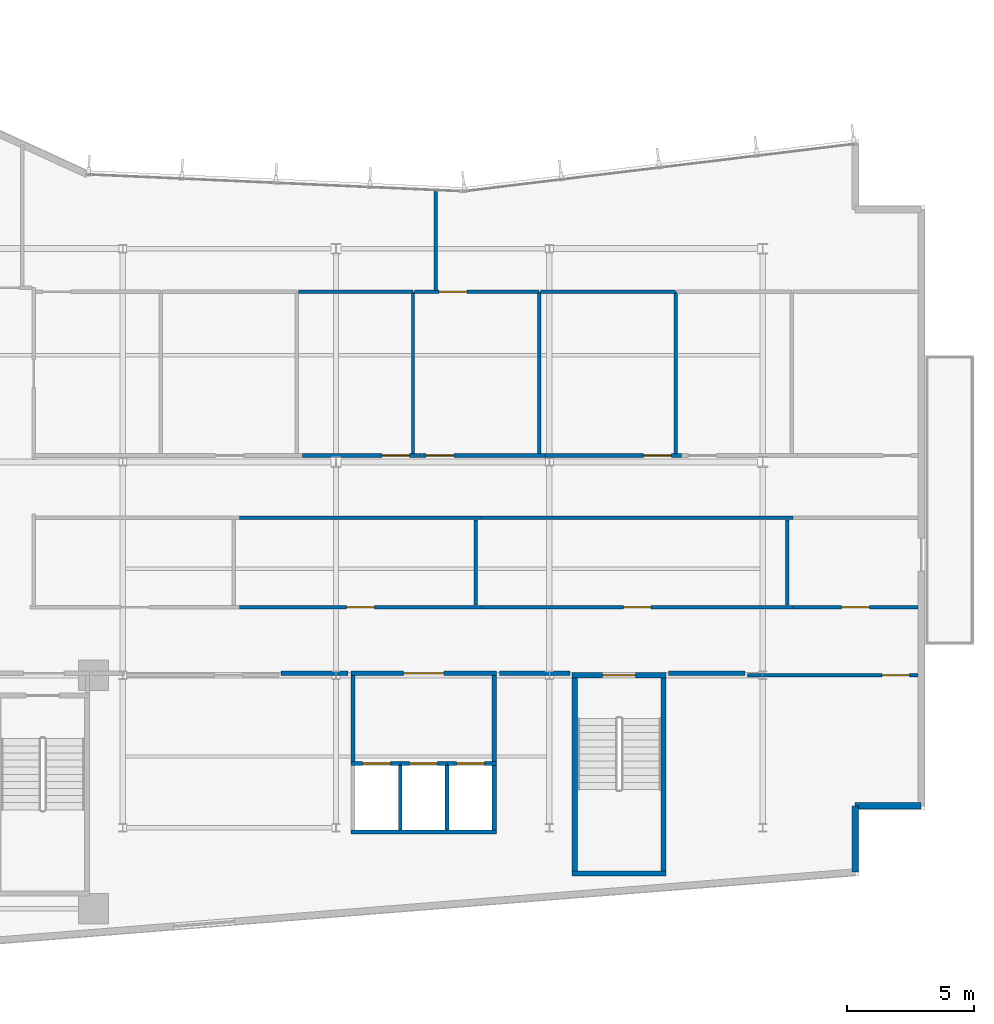
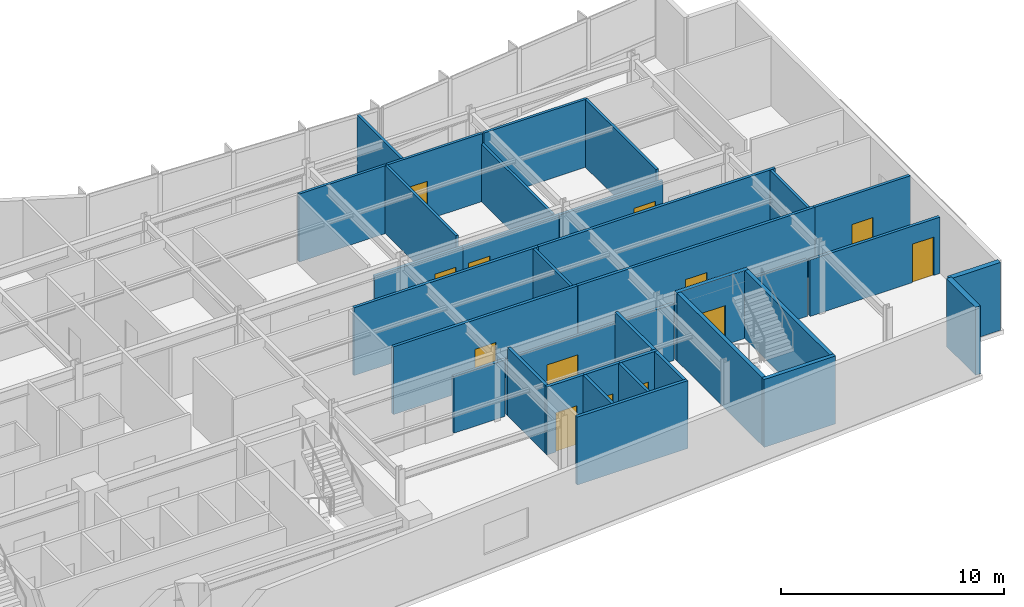
# One storey, part 12 of 18: 37 walls, 13 doors, 13 openings.
"""IFC4 building model written with IfcOpenShell, lengths in metres."""

import ifcopenshell
import ifcopenshell.guid

model = None  # the IFC model being written
_history = None  # IfcOwnerHistory: only IFC2X3 demands one
_inside = {}  # id of a spatial element -> (the spatial element, [elements in it])
_under = {}  # id of a project, library or spatial element -> (it, [spatial elements below it])
_declared = {}  # id of a project -> (the project, [libraries it declares])
_typed = {}  # id of a type object -> (the type object, [elements of that type])
_made_of = {}  # id of a material, layer set ... -> (it, [elements and type objects made of it])


def new_model(schema):
    """Start an empty IFC model of exactly this schema.

    Asked for "IFC4X3", IfcOpenShell would pick the latest addendum, in which some entities
    have other attributes; the version numbers below select the first issue.
    IFC2X3 requires an IfcOwnerHistory on every rooted entity: one is made here for all.
    """
    global model, _history
    if schema == "IFC4X3":
        model = ifcopenshell.file(schema_version=(4, 3, 0, 0))
    else:
        model = ifcopenshell.file(schema=schema)
    _inside.clear()
    _under.clear()
    _declared.clear()
    _typed.clear()
    _made_of.clear()
    _history = None
    if model.schema == "IFC2X3":
        org = make("IfcOrganization", Name="unknown")
        user = make(
            "IfcPersonAndOrganization",
            ThePerson=make("IfcPerson", FamilyName="unknown"),
            TheOrganization=org,
        )
        app = make(
            "IfcApplication",
            ApplicationDeveloper=org,
            Version="unknown",
            ApplicationFullName="unknown",
            ApplicationIdentifier="unknown",
        )
        _history = make(
            "IfcOwnerHistory",
            OwningUser=user,
            OwningApplication=app,
            ChangeAction="ADDED",
            CreationDate=0,
        )
    return model


def make(cls, **values):
    """One entity of the class cls with the attributes given. An attribute that is None is left unset."""
    return model.create_entity(
        cls, **{name: value for name, value in values.items() if value is not None}
    )


def rooted(cls, **values):
    """An entity with a GlobalId (a new one), such as an element, a storey or a relation."""
    return make(cls, GlobalId=ifcopenshell.guid.new(), OwnerHistory=_history, **values)


def si_unit(unit_type, name, prefix=None):
    """IfcSIUnit, for example si_unit("LENGTHUNIT", "METRE", prefix="MILLI")."""
    return make("IfcSIUnit", UnitType=unit_type, Prefix=prefix, Name=name)


def assignment(units):
    """IfcUnitAssignment: the units of a project."""
    return None if units is None else make("IfcUnitAssignment", Units=units)


def point(xyz):
    """IfcCartesianPoint."""
    return None if xyz is None else make("IfcCartesianPoint", Coordinates=xyz)


def direction(xyz):
    """IfcDirection."""
    return None if xyz is None else make("IfcDirection", DirectionRatios=xyz)


def frame(location, z_axis=None, x_axis=None):
    """IfcAxis2Placement3D, a coordinate frame: its origin and axes. An axis left out is left unset."""
    return make(
        "IfcAxis2Placement3D",
        Location=point(location),
        Axis=direction(z_axis),
        RefDirection=direction(x_axis),
    )


def frame_2d(location, x_axis=None):
    """IfcAxis2Placement2D, a coordinate frame in the plane: its origin and x axis."""
    return make(
        "IfcAxis2Placement2D", Location=point(location), RefDirection=direction(x_axis)
    )


def origin():
    """The frame at (0, 0, 0) with its axes left unset."""
    return frame((0.0, 0.0, 0.0))


def place(relative_to, where):
    """IfcLocalPlacement: puts the frame where relative to a parent placement (None: the world)."""
    return make(
        "IfcLocalPlacement", PlacementRelTo=relative_to, RelativePlacement=where
    )


def context(
    kind, dimensions, precision=None, world=None, true_north=None, identifier=None
):
    """IfcGeometricRepresentationContext, for example the 3D "Model" context."""
    return make(
        "IfcGeometricRepresentationContext",
        ContextIdentifier=identifier,
        ContextType=kind,
        CoordinateSpaceDimension=dimensions,
        Precision=precision,
        WorldCoordinateSystem=world,
        TrueNorth=true_north,
    )


def subcontext(parent, identifier, kind, view, scale=None):
    """IfcGeometricRepresentationSubContext, for example "Body" below "Model"."""
    return make(
        "IfcGeometricRepresentationSubContext",
        ContextIdentifier=identifier,
        ContextType=kind,
        ParentContext=parent,
        TargetScale=scale,
        TargetView=view,
    )


def project(units=None, contexts=None):
    """IfcProject with its units and contexts."""
    return rooted(
        "IfcProject",
        Name="project",
        RepresentationContexts=contexts,
        UnitsInContext=assignment(units),
    )


def spatial(cls, under=None, at=None, **own):
    """A site, building, storey or space (cls), placed at a placement, below another one or the project."""
    s = rooted(cls, ObjectPlacement=at, **own)
    if under is not None:
        _under.setdefault(under.id(), (under, []))[1].append(s)
    return s


def profile(cls, at=None, kind="AREA", **sizes):
    """A parametric profile (cls). Its sizes go by their IFC names, for example OverallWidth=200.0."""
    return make(cls, ProfileType=kind, Position=at, **sizes)


def rectangle(**sizes):
    """IfcRectangleProfileDef."""
    return profile("IfcRectangleProfileDef", **sizes)


def extrude(swept, where, along, depth):
    """IfcExtrudedAreaSolid: the profile swept, set in the frame where, extruded along a direction by depth."""
    return make(
        "IfcExtrudedAreaSolid",
        SweptArea=swept,
        Position=where,
        ExtrudedDirection=direction(along),
        Depth=depth,
    )


def shape(context_of_items, identifier, shape_type, items):
    """IfcShapeRepresentation: the items that make up one representation, for example the "Body"."""
    return make(
        "IfcShapeRepresentation",
        ContextOfItems=context_of_items,
        RepresentationIdentifier=identifier,
        RepresentationType=shape_type,
        Items=items,
    )


def material(Name=None, Category=None):
    """IfcMaterial."""
    return make("IfcMaterial", Name=Name, Category=Category)


def layer(
    of_material, thickness, ventilated=None, Name=None, Category=None, Priority=None
):
    """IfcMaterialLayer: one layer of a wall or slab, of a material (None: an air gap)."""
    return make(
        "IfcMaterialLayer",
        Material=of_material,
        LayerThickness=thickness,
        IsVentilated=ventilated,
        Name=Name,
        Category=Category,
        Priority=Priority,
    )


def layer_set(layers, Name=None):
    """IfcMaterialLayerSet."""
    return make("IfcMaterialLayerSet", MaterialLayers=layers, LayerSetName=Name)


def made_of(thing, what):
    """Note that an element or type object is made of a material, layer set ...; save() writes the relation."""
    if what is not None:
        _made_of.setdefault(what.id(), (what, []))[1].append(thing)
    return thing


def type_object(cls, material=None, **own):
    """A type object (cls), such as IfcWallType, which elements share."""
    return made_of(rooted(cls, **own), material)


def element(
    cls,
    number,
    at=None,
    inside=None,
    cuts=None,
    type_object=None,
    material=None,
    context=None,
    identifier="Body",
    shape_type=None,
    held_by="IfcProductDefinitionShape",
    body=None,
    shapes=None,
    **own,
):
    """One element of the class cls, such as IfcWall. Its Tag is "e" and its number.

    at: its placement. inside: the storey or other place that contains it. cuts: it is an
    opening in that element (IfcRelVoidsElement). A single representation is given by context,
    identifier, shape_type and body (its items); several are given by shapes. held_by: the class
    of the entity that holds the representations. save() writes the other relations.
    """
    e = rooted(cls, Tag="e%d" % number, ObjectPlacement=at, **own)
    if body is not None:
        shapes = [shape(context, identifier, shape_type, body)]
    if shapes is not None:
        e.Representation = make(held_by, Representations=shapes)
    if inside is not None:
        _inside.setdefault(inside.id(), (inside, []))[1].append(e)
    if cuts is not None:
        rooted(
            "IfcRelVoidsElement", RelatingBuildingElement=cuts, RelatedOpeningElement=e
        )
    if type_object is not None:
        _typed.setdefault(type_object.id(), (type_object, []))[1].append(e)
    return made_of(e, material)


def fill(opening, filler):
    """IfcRelFillsElement: the door or window that sits in an opening."""
    return rooted(
        "IfcRelFillsElement",
        RelatingOpeningElement=opening,
        RelatedBuildingElement=filler,
    )


def aggregate(whole, parts):
    """IfcRelAggregates: a whole, such as a stair, and the parts it consists of."""
    return rooted("IfcRelAggregates", RelatingObject=whole, RelatedObjects=parts)


def save(model, path):
    """Write the relations noted so far, then the file.

    IfcRelAggregates (storeys below a building ...), IfcRelContainedInSpatialStructure (elements
    in a storey), IfcRelDefinesByType, IfcRelAssociatesMaterial and IfcRelDeclares: one each for
    every whole, place, type object, material and project.
    """
    for whole, parts in _under.values():
        aggregate(whole, parts)
    for where, things in _inside.values():
        rooted(
            "IfcRelContainedInSpatialStructure",
            RelatedElements=things,
            RelatingStructure=where,
        )
    for kind, things in _typed.values():
        rooted("IfcRelDefinesByType", RelatedObjects=things, RelatingType=kind)
    for what, things in _made_of.values():
        rooted("IfcRelAssociatesMaterial", RelatedObjects=things, RelatingMaterial=what)
    for by, libraries in _declared.values():
        rooted("IfcRelDeclares", RelatingContext=by, RelatedDefinitions=libraries)
    model.write(path)


model = new_model("IFC4")

# Units and contexts
model_context = context("Model", 3, precision=1e-05, world=origin(), true_north=direction((0.0, 1.0)))
body_context = subcontext(model_context, "Body", "Model", "MODEL_VIEW")
ifc_project = project(units=[si_unit("LENGTHUNIT", "METRE"), si_unit("AREAUNIT", "SQUARE_METRE"), si_unit("VOLUMEUNIT", "CUBIC_METRE"), si_unit("PLANEANGLEUNIT", "RADIAN"), si_unit("MASSUNIT", "GRAM", prefix="KILO")], contexts=[model_context])

# Site, building, storey
site_placement = place(None, origin())
site = spatial("IfcSite", under=ifc_project, at=site_placement, CompositionType="ELEMENT")
building_placement = place(site_placement, origin())
building = spatial("IfcBuilding", under=site, at=building_placement, Name="Varnakote Quay Hospital", CompositionType="ELEMENT")
storey_placement = place(building_placement, frame((0.0, 0.0, 154.699951171875)))
storey = spatial("IfcBuildingStorey", under=building, at=storey_placement, Name="L38", CompositionType="ELEMENT", Elevation=154.699951171875)

# Walls
ifc_material_1 = material(Name="Fire-rated acoustic gypsum stud wall", Category="gypsum")
ifc_layer_1 = layer(ifc_material_1, 0.159912109375)
ifc_layer_set_1 = layer_set([ifc_layer_1], Name="Fire-rated acoustic gypsum stud wall")
wall_type_1 = type_object("IfcWallType", Name="WL-COMP-160", PredefinedType="PARTITIONING", material=ifc_layer_set_1)
for number, where, z_axis, x_axis, name in (
    (1, (34.27001953125, 8.610107421875, 0.0), (0.0, 0.0, 1.0), (0.0, 1.0, 0.0), "L38 Mid-Rise Lift Lobby West Wall"),
    (2, (39.830078125, 8.610107421875, 0.0), (0.0, 0.0, 1.0), (0.0, 1.0, 0.0), "L38 Mid-Rise Lift Lobby East Wall"),
):
    element("IfcWall", number, at=place(storey_placement, frame(where, z_axis=z_axis, x_axis=x_axis)), inside=storey, type_object=wall_type_1, Name=name, PredefinedType="PARTITIONING", context=body_context, shape_type="SweptSolid", body=[
        extrude(rectangle(XDim=3.389892578125, YDim=0.159912109375, at=frame_2d((1.69482421875, 0.0))), origin(), (0.0, 0.0, 1.0), 3.7099609375),
    ])

# Wall, opening, door
wall_1_placement = place(storey_placement, frame((34.18994140625, 12.080078125, 0.0), z_axis=(0.0, 0.0, 1.0), x_axis=(1.0, 0.0, 0.0)))
wall_1 = element("IfcWall", 3, at=wall_1_placement, inside=storey, type_object=wall_type_1, Name="L38 Mid-Rise Lift Lobby North Wall", PredefinedType="PARTITIONING", context=body_context, shape_type="SweptSolid", body=[
    extrude(rectangle(XDim=5.719970703125, YDim=0.159912109375, at=frame_2d((2.85986328125, 0.0))), origin(), (0.0, 0.0, 1.0), 3.0830078125),
])
opening_1_placement = place(wall_1_placement, frame((2.06005859375, 0.0, 0.0)))
opening_1 = element("IfcOpeningElement", 4, at=opening_1_placement, cuts=wall_1, Name="Opening D-PML-L38", PredefinedType="OPENING", context=body_context, shape_type="SweptSolid", body=[
    extrude(rectangle(XDim=1.60009765625, YDim=2.050048828125, at=frame_2d((0.800048828125, 1.02490234375))), frame((0.0, 0.08984375, 0.0), z_axis=(0.0, -1.0, 0.0), x_axis=(1.0, 0.0, 0.0)), (0.0, 0.0, 1.0), 0.179931640625),
])
ifc_material_2 = material(Name="Fire-rated double smoke lobby door")
door_type_1 = type_object("IfcDoorType", Name="DR-LOBBY-FD60S-1600x2150", OperationType="NOTDEFINED", PredefinedType="DOOR", material=ifc_material_2)
door_1_placement = place(opening_1_placement, origin())
door_1 = element("IfcDoor", 5, at=door_1_placement, inside=storey, type_object=door_type_1, Name="L38 Mid-Rise Passenger Concourse Vestibule Door", OperationType="DOUBLE_DOOR_SINGLE_SWING", OverallHeight=2.050048828125, OverallWidth=1.60009765625, PredefinedType="DOOR", context=body_context, shape_type="SweptSolid", body=[
    extrude(rectangle(XDim=1.60009765625, YDim=2.050048828125, at=frame_2d((0.800048828125, 1.02490234375))), frame((0.0, 0.02490234375, 0.0), z_axis=(0.0, -1.0, 0.0), x_axis=(1.0, 0.0, 0.0)), (0.0, 0.0, 1.0), 0.050048828125),
])
fill(opening_1, door_1)

# Walls
wall_2_placement = place(storey_placement, frame((31.439208984375, 12.080078125, 0.0), z_axis=(0.0, 0.0, 1.0), x_axis=(1.0, 0.0, 0.0)))
element("IfcWall", 6, at=wall_2_placement, inside=storey, type_object=wall_type_1, Name="L38 Corridor South Gap Wall", PredefinedType="PARTITIONING", context=body_context, shape_type="SweptSolid", body=[
    extrude(rectangle(XDim=2.630859375, YDim=0.159912109375, at=frame_2d((1.3154296875, 0.0))), origin(), (0.0, 0.0, 1.0), 3.0830078125),
])
wall_3_placement = place(storey_placement, frame((40.030029296875, 12.080078125, 0.0), z_axis=(0.0, 0.0, 1.0), x_axis=(1.0, 0.0, 0.0)))
element("IfcWall", 7, at=wall_3_placement, inside=storey, type_object=wall_type_1, Name="L38 Corridor South Gap Wall", PredefinedType="PARTITIONING", context=body_context, shape_type="SweptSolid", body=[
    extrude(rectangle(XDim=2.78076171875, YDim=0.159912109375, at=frame_2d((1.390380859375, 0.0))), origin(), (0.0, 0.0, 1.0), 3.0830078125),
])
wall_4_placement = place(storey_placement, frame((46.689208984375, 12.080078125, 0.0), z_axis=(0.0, 0.0, 1.0), x_axis=(1.0, 0.0, 0.0)))
element("IfcWall", 8, at=wall_4_placement, inside=storey, type_object=wall_type_1, Name="L38 Corridor South Gap Wall", PredefinedType="PARTITIONING", context=body_context, shape_type="SweptSolid", body=[
    extrude(rectangle(XDim=3.0107421875, YDim=0.159912109375, at=frame_2d((1.50537109375, 0.0))), origin(), (0.0, 0.0, 1.0), 3.0830078125),
])
ifc_material_3 = material(Name="Precast concrete N50 (f'c 50 MPa)", Category="concrete")
ifc_layer_2 = layer(ifc_material_3, 0.260009765625)
ifc_layer_set_2 = layer_set([ifc_layer_2], Name="Precast concrete N50 (f'c 50 MPa)")
wall_type_2 = type_object("IfcWallType", Name="WL-EXT-BRICK-260", PredefinedType="STANDARD", material=ifc_layer_set_2)
wall_5_placement = place(storey_placement, frame((54.0400390625, 4.247802734375, 0.0), z_axis=(0.0, 0.0, 1.0), x_axis=(0.0, 1.0, 0.0)))
element("IfcWall", 9, at=wall_5_placement, inside=storey, type_object=wall_type_2, Name="L38 Brick-Faced Precast Exterior Wall", PredefinedType="STANDARD", context=body_context, shape_type="SweptSolid", body=[
    extrude(rectangle(XDim=2.6123046875, YDim=0.260009765625, at=frame_2d((1.30615234375, 0.0))), origin(), (0.0, 0.0, 1.0), 3.7099609375),
])
wall_6_placement = place(storey_placement, frame((54.0400390625, 6.860107421875, 0.0), z_axis=(0.0, 0.0, 1.0), x_axis=(1.0, 0.0, 0.0)))
element("IfcWall", 10, at=wall_6_placement, inside=storey, type_object=wall_type_2, Name="L38 Brick-Faced Precast Exterior Wall", PredefinedType="STANDARD", context=body_context, shape_type="SweptSolid", body=[
    extrude(rectangle(XDim=2.599853515625, YDim=0.260009765625, at=frame_2d((1.2998046875, 0.0))), origin(), (0.0, 0.0, 1.0), 3.7099609375),
])
ifc_material_4 = material(Name="Concrete N50 (f'c 50 MPa)", Category="concrete")
ifc_layer_3 = layer(ifc_material_4, 0.14990234375)
ifc_layer_set_3 = layer_set([ifc_layer_3], Name="Concrete N50 (f'c 50 MPa)")
wall_type_3 = type_object("IfcWallType", Name="WL-SHAFT-N50-150", PredefinedType="SHEAR", material=ifc_layer_set_3)
for number, where, z_axis, x_axis, name in (
    (11, (36.125, 5.89990234375, 0.0), (0.0, 0.0, 1.0), (0.0, 1.0, 0.0), "L38 LF-PM1 Hoistway Divider Wall"),
    (12, (37.97509765625, 5.89990234375, 0.0), (0.0, 0.0, 1.0), (0.0, 1.0, 0.0), "L38 LF-PM2 Hoistway Divider Wall"),
):
    element("IfcWall", number, at=place(storey_placement, frame(where, z_axis=z_axis, x_axis=x_axis)), inside=storey, type_object=wall_type_3, Name=name, PredefinedType="SHEAR", context=body_context, shape_type="SweptSolid", body=[
        extrude(rectangle(XDim=2.550048828125, YDim=0.14990234375, at=frame_2d((1.27490234375, 0.0))), origin(), (0.0, 0.0, 1.0), 3.7099609375),
    ])
ifc_material_5 = material(Name="Concrete N50 (f'c 50 MPa)", Category="concrete")
ifc_layer_4 = layer(ifc_material_5, 0.159912109375)
ifc_layer_set_4 = layer_set([ifc_layer_4], Name="Concrete N50 (f'c 50 MPa)")
wall_type_4 = type_object("IfcWallType", Name="WL-SHAFT-N50-160", PredefinedType="SHEAR", material=ifc_layer_set_4)
wall_7_placement = place(storey_placement, frame((34.18994140625, 5.820068359375, 0.0), z_axis=(0.0, 0.0, 1.0), x_axis=(1.0, 0.0, 0.0)))
element("IfcWall", 13, at=wall_7_placement, inside=storey, type_object=wall_type_4, Name="L38 MID Lift Bank Back Shear Wall", PredefinedType="SHEAR", context=body_context, shape_type="SweptSolid", body=[
    extrude(rectangle(XDim=5.719970703125, YDim=0.159912109375, at=frame_2d((2.85986328125, 0.0))), origin(), (0.0, 0.0, 1.0), 3.7099609375),
])
wall_8_placement = place(storey_placement, frame((39.830078125, 5.89990234375, 0.0), z_axis=(0.0, 0.0, 1.0), x_axis=(0.0, 1.0, 0.0)))
element("IfcWall", 14, at=wall_8_placement, inside=storey, type_object=wall_type_4, Name="L38 MID Lift Bank East Shear Wall", PredefinedType="SHEAR", context=body_context, shape_type="SweptSolid", body=[
    extrude(rectangle(XDim=2.550048828125, YDim=0.159912109375, at=frame_2d((1.27490234375, 0.0))), origin(), (0.0, 0.0, 1.0), 3.7099609375),
])

# Wall, opening, door
wall_9_placement = place(storey_placement, frame((34.18994140625, 8.530029296875, 0.0), z_axis=(0.0, 0.0, 1.0), x_axis=(1.0, 0.0, 0.0)))
wall_9 = element("IfcWall", 15, at=wall_9_placement, inside=storey, type_object=wall_type_4, Name="L38 LF-PM1 Hoistway Front Wall", PredefinedType="SHEAR", context=body_context, shape_type="SweptSolid", body=[
    extrude(rectangle(XDim=1.93505859375, YDim=0.159912109375, at=frame_2d((0.967529296875, 0.0))), origin(), (0.0, 0.0, 1.0), 3.7099609375),
])
opening_2_placement = place(wall_9_placement, frame((0.4599609375, 0.0, 0.0)))
opening_2 = element("IfcOpeningElement", 16, at=opening_2_placement, cuts=wall_9, Name="Opening LD-PM1-L38", PredefinedType="OPENING", context=body_context, shape_type="SweptSolid", body=[
    extrude(rectangle(XDim=1.10009765625, YDim=2.14990234375, at=frame_2d((0.550048828125, 1.074951171875))), frame((0.0, 0.08984375, 0.0), z_axis=(0.0, -1.0, 0.0), x_axis=(1.0, 0.0, 0.0)), (0.0, 0.0, 1.0), 0.179931640625),
])
ifc_material_6 = material(Name="Brushed bronze lift landing sliding door")
door_type_2 = type_object("IfcDoorType", Name="DR-LIFT-LD-1100x2150", OperationType="NOTDEFINED", PredefinedType="DOOR", material=ifc_material_6)
door_2_placement = place(opening_2_placement, origin())
door_2 = element("IfcDoor", 17, at=door_2_placement, inside=storey, type_object=door_type_2, Name="L38 LF-PM1 Lift Landing Sliding Door", OperationType="SLIDING_TO_LEFT", OverallHeight=2.14990234375, OverallWidth=1.10009765625, PredefinedType="DOOR", context=body_context, shape_type="SweptSolid", body=[
    extrude(rectangle(XDim=1.10009765625, YDim=2.14990234375, at=frame_2d((0.550048828125, 1.074951171875))), frame((0.0, 0.02490234375, 0.0), z_axis=(0.0, -1.0, 0.0), x_axis=(1.0, 0.0, 0.0)), (0.0, 0.0, 1.0), 0.050048828125),
])
fill(opening_2, door_2)

wall_10_placement = place(storey_placement, frame((36.125, 8.530029296875, 0.0), z_axis=(0.0, 0.0, 1.0), x_axis=(1.0, 0.0, 0.0)))
wall_10 = element("IfcWall", 18, at=wall_10_placement, inside=storey, type_object=wall_type_4, Name="L38 LF-PM2 Hoistway Front Wall", PredefinedType="SHEAR", context=body_context, shape_type="SweptSolid", body=[
    extrude(rectangle(XDim=1.85009765625, YDim=0.159912109375, at=frame_2d((0.925048828125, 0.0))), origin(), (0.0, 0.0, 1.0), 3.7099609375),
])
opening_3_placement = place(wall_10_placement, frame((0.375, 0.0, 0.0)))
opening_3 = element("IfcOpeningElement", 19, at=opening_3_placement, cuts=wall_10, Name="Opening LD-PM2-L38", PredefinedType="OPENING", context=body_context, shape_type="SweptSolid", body=[
    extrude(rectangle(XDim=1.10009765625, YDim=2.14990234375, at=frame_2d((0.550048828125, 1.074951171875))), frame((0.0, 0.08984375, 0.0), z_axis=(0.0, -1.0, 0.0), x_axis=(1.0, 0.0, 0.0)), (0.0, 0.0, 1.0), 0.179931640625),
])
door_3_placement = place(opening_3_placement, origin())
door_3 = element("IfcDoor", 20, at=door_3_placement, inside=storey, type_object=door_type_2, Name="L38 LF-PM2 Lift Landing Sliding Door", OperationType="SLIDING_TO_LEFT", OverallHeight=2.14990234375, OverallWidth=1.10009765625, PredefinedType="DOOR", context=body_context, shape_type="SweptSolid", body=[
    extrude(rectangle(XDim=1.10009765625, YDim=2.14990234375, at=frame_2d((0.550048828125, 1.074951171875))), frame((0.0, 0.02490234375, 0.0), z_axis=(0.0, -1.0, 0.0), x_axis=(1.0, 0.0, 0.0)), (0.0, 0.0, 1.0), 0.050048828125),
])
fill(opening_3, door_3)

wall_11_placement = place(storey_placement, frame((37.97509765625, 8.530029296875, 0.0), z_axis=(0.0, 0.0, 1.0), x_axis=(1.0, 0.0, 0.0)))
wall_11 = element("IfcWall", 21, at=wall_11_placement, inside=storey, type_object=wall_type_4, Name="L38 LF-PM3 Hoistway Front Wall", PredefinedType="SHEAR", context=body_context, shape_type="SweptSolid", body=[
    extrude(rectangle(XDim=1.934814453125, YDim=0.159912109375, at=frame_2d((0.96728515625, 0.0))), origin(), (0.0, 0.0, 1.0), 3.7099609375),
])
opening_4_placement = place(wall_11_placement, frame((0.375, 0.0, 0.0)))
opening_4 = element("IfcOpeningElement", 22, at=opening_4_placement, cuts=wall_11, Name="Opening LD-PM3-L38", PredefinedType="OPENING", context=body_context, shape_type="SweptSolid", body=[
    extrude(rectangle(XDim=1.10009765625, YDim=2.14990234375, at=frame_2d((0.550048828125, 1.074951171875))), frame((0.0, 0.08984375, 0.0), z_axis=(0.0, -1.0, 0.0), x_axis=(1.0, 0.0, 0.0)), (0.0, 0.0, 1.0), 0.179931640625),
])
door_4_placement = place(opening_4_placement, origin())
door_4 = element("IfcDoor", 23, at=door_4_placement, inside=storey, type_object=door_type_2, Name="L38 LF-PM3 Lift Landing Sliding Door", OperationType="SLIDING_TO_LEFT", OverallHeight=2.14990234375, OverallWidth=1.10009765625, PredefinedType="DOOR", context=body_context, shape_type="SweptSolid", body=[
    extrude(rectangle(XDim=1.10009765625, YDim=2.14990234375, at=frame_2d((0.550048828125, 1.074951171875))), frame((0.0, 0.02490234375, 0.0), z_axis=(0.0, -1.0, 0.0), x_axis=(1.0, 0.0, 0.0)), (0.0, 0.0, 1.0), 0.050048828125),
])
fill(opening_4, door_4)

# Walls
ifc_material_7 = material(Name="Concrete N50 (f'c 50 MPa)", Category="concrete")
ifc_layer_5 = layer(ifc_material_7, 0.199951171875)
ifc_layer_set_5 = layer_set([ifc_layer_5], Name="Concrete N50 (f'c 50 MPa)")
wall_type_5 = type_object("IfcWallType", Name="WL-SHAFT-N50-200", PredefinedType="SHEAR", material=ifc_layer_set_5)
wall_12_placement = place(storey_placement, frame((42.89990234375, 4.199951171875, 0.0), z_axis=(0.0, 0.0, 1.0), x_axis=(1.0, 0.0, 0.0)))
element("IfcWall", 24, at=wall_12_placement, inside=storey, type_object=wall_type_5, Name="L38 Stair ST3 South Shaft Wall", PredefinedType="SHEAR", context=body_context, shape_type="SweptSolid", body=[
    extrude(rectangle(XDim=3.7001953125, YDim=0.199951171875, at=frame_2d((1.85009765625, 0.0))), origin(), (0.0, 0.0, 1.0), 3.7099609375),
])
for number, where, z_axis, x_axis, name in (
    (25, (43.0, 4.300048828125, 0.0), (0.0, 0.0, 1.0), (0.0, 1.0, 0.0), "L38 Stair ST3 West Shaft Wall"),
    (26, (46.5, 4.300048828125, 0.0), (0.0, 0.0, 1.0), (0.0, 1.0, 0.0), "L38 Stair ST3 East Shaft Wall"),
):
    element("IfcWall", number, at=place(storey_placement, frame(where, z_axis=z_axis, x_axis=x_axis)), inside=storey, type_object=wall_type_5, Name=name, PredefinedType="SHEAR", context=body_context, shape_type="SweptSolid", body=[
        extrude(rectangle(XDim=7.599853515625, YDim=0.199951171875, at=frame_2d((3.7998046875, 0.0))), origin(), (0.0, 0.0, 1.0), 3.7099609375),
    ])

# Wall, opening, door
wall_13_placement = place(storey_placement, frame((42.89990234375, 12.0, 0.0), z_axis=(0.0, 0.0, 1.0), x_axis=(1.0, 0.0, 0.0)))
wall_13 = element("IfcWall", 27, at=wall_13_placement, inside=storey, type_object=wall_type_5, Name="L38 Stair ST3 Exit Wall", PredefinedType="SHEAR", context=body_context, shape_type="SweptSolid", body=[
    extrude(rectangle(XDim=3.7001953125, YDim=0.199951171875, at=frame_2d((1.85009765625, 0.0))), origin(), (0.0, 0.0, 1.0), 3.7099609375),
])
opening_5_placement = place(wall_13_placement, frame((1.199951171875, 0.0, 0.0)))
opening_5 = element("IfcOpeningElement", 28, at=opening_5_placement, cuts=wall_13, Name="Opening D-ST3-L38", PredefinedType="OPENING", context=body_context, shape_type="SweptSolid", body=[
    extrude(rectangle(XDim=1.300048828125, YDim=2.14990234375, at=frame_2d((0.64990234375, 1.074951171875))), frame((0.0, 0.10986328125, 0.0), z_axis=(0.0, -1.0, 0.0), x_axis=(1.0, 0.0, 0.0)), (0.0, 0.0, 1.0), 0.219970703125),
])
ifc_material_8 = material(Name="Fire-rated ceramic-glazed timber exit door", Category="wood")
door_type_3 = type_object("IfcDoorType", Name="DR-STAIR-FD60S-1300x2150", OperationType="NOTDEFINED", PredefinedType="DOOR", material=ifc_material_8)
door_5_placement = place(opening_5_placement, origin())
door_5 = element("IfcDoor", 29, at=door_5_placement, inside=storey, type_object=door_type_3, Name="L38 Stair ST3 Fire Exit Door", OperationType="SINGLE_SWING_RIGHT", OverallHeight=2.14990234375, OverallWidth=1.300048828125, PredefinedType="DOOR", context=body_context, shape_type="SweptSolid", body=[
    extrude(rectangle(XDim=1.300048828125, YDim=2.14990234375, at=frame_2d((0.64990234375, 1.074951171875))), frame((0.0, 0.02490234375, 0.0), z_axis=(0.0, -1.0, 0.0), x_axis=(1.0, 0.0, 0.0)), (0.0, 0.0, 1.0), 0.050048828125),
])
fill(opening_5, door_5)

# Walls
ifc_material_9 = material(Name="Smoke-proof clinical partition", Category="gypsum")
ifc_layer_6 = layer(ifc_material_9, 0.135009765625)
ifc_layer_set_6 = layer_set([ifc_layer_6], Name="Smoke-proof clinical partition")
wall_type_6 = type_object("IfcWallType", Name="WL-SMOKE-135", PredefinedType="PARTITIONING", material=ifc_layer_set_6)
for number, where, z_axis, x_axis, name in (
    (30, (39.110107421875, 14.760009765625, 0.0), (0.0, 0.0, 1.0), (0.0, 1.0, 0.0), "L38 Clinical Interior Partition"),
    (31, (51.360107421875, 14.760009765625, 0.0), (0.0, 0.0, 1.0), (0.0, 1.0, 0.0), "L38 Clinical Interior Partition"),
):
    element("IfcWall", number, at=place(storey_placement, frame(where, z_axis=z_axis, x_axis=x_axis)), inside=storey, type_object=wall_type_6, Name=name, PredefinedType="PARTITIONING", context=body_context, shape_type="SweptSolid", body=[
        extrude(rectangle(XDim=3.360107421875, YDim=0.135009765625, at=frame_2d((1.68017578125, 0.0))), origin(), (0.0, 0.0, 1.0), 3.7099609375),
    ])
wall_14_placement = place(storey_placement, frame((36.6298828125, 20.715087890625, 0.0), z_axis=(0.0, 0.0, 1.0), x_axis=(0.0, 1.0, 0.0)))
element("IfcWall", 32, at=wall_14_placement, inside=storey, type_object=wall_type_6, Name="L38 Clinical Interior Partition", PredefinedType="PARTITIONING", context=body_context, shape_type="SweptSolid", body=[
    extrude(rectangle(XDim=6.385009765625, YDim=0.135009765625, at=frame_2d((3.1923828125, 0.0))), origin(), (0.0, 0.0, 1.0), 3.7099609375),
])
wall_15_placement = place(storey_placement, frame((36.6298828125, 27.10009765625, 0.0), z_axis=(0.0, 0.0, 1.0), x_axis=(-1.0, 0.0, 0.0)))
element("IfcWall", 33, at=wall_15_placement, inside=storey, type_object=wall_type_6, Name="L38 Clinical Interior Partition", PredefinedType="PARTITIONING", context=body_context, shape_type="SweptSolid", body=[
    extrude(rectangle(XDim=4.512451171875, YDim=0.135009765625, at=frame_2d((2.25634765625, 0.0))), origin(), (0.0, 0.0, 1.0), 3.7099609375),
])
wall_16_placement = place(storey_placement, frame((41.60009765625, 20.715087890625, 0.0), z_axis=(0.0, 0.0, 1.0), x_axis=(0.0, 1.0, 0.0)))
element("IfcWall", 34, at=wall_16_placement, inside=storey, type_object=wall_type_6, Name="L38 Clinical Interior Partition", PredefinedType="PARTITIONING", context=body_context, shape_type="SweptSolid", body=[
    extrude(rectangle(XDim=6.385009765625, YDim=0.135009765625, at=frame_2d((3.1923828125, 0.0))), origin(), (0.0, 0.0, 1.0), 3.152099609375),
])

# Wall, opening, door
wall_17_placement = place(storey_placement, frame((41.60009765625, 27.10009765625, 0.0), z_axis=(0.0, 0.0, 1.0), x_axis=(-1.0, 0.0, 0.0)))
wall_17 = element("IfcWall", 35, at=wall_17_placement, inside=storey, type_object=wall_type_6, Name="L38 Clinical Interior Partition", PredefinedType="PARTITIONING", context=body_context, shape_type="SweptSolid", body=[
    extrude(rectangle(XDim=4.91259765625, YDim=0.135009765625, at=frame_2d((2.456298828125, 0.0))), origin(), (0.0, 0.0, 1.0), 3.7099609375),
])
opening_6_placement = place(wall_17_placement, frame((2.8447265625, 0.0, 0.0)))
opening_6 = element("IfcOpeningElement", 36, at=opening_6_placement, cuts=wall_17, Name="Opening D-L38-MD17", PredefinedType="OPENING", context=body_context, shape_type="SweptSolid", body=[
    extrude(rectangle(XDim=1.10009765625, YDim=2.10009765625, at=frame_2d((0.550048828125, 1.050048828125))), frame((0.0, 0.077392578125, 0.0), z_axis=(0.0, -1.0, 0.0), x_axis=(1.0, 0.0, 0.0)), (0.0, 0.0, 1.0), 0.155029296875),
])
ifc_material_10 = material(Name="Acoustic timber clinical consult door", Category="wood")
door_type_4 = type_object("IfcDoorType", Name="DR-CLIN-FD30S-1100x2100", OperationType="NOTDEFINED", PredefinedType="DOOR", material=ifc_material_10)
door_6_placement = place(opening_6_placement, origin())
door_6 = element("IfcDoor", 37, at=door_6_placement, inside=storey, type_object=door_type_4, Name="L38 Ward Clinical Consultation Office Door", OperationType="SINGLE_SWING_LEFT", OverallHeight=2.10009765625, OverallWidth=1.10009765625, PredefinedType="DOOR", context=body_context, shape_type="SweptSolid", body=[
    extrude(rectangle(XDim=1.10009765625, YDim=2.10009765625, at=frame_2d((0.550048828125, 1.050048828125))), frame((0.0, 0.02490234375, 0.0), z_axis=(0.0, -1.0, 0.0), x_axis=(1.0, 0.0, 0.0)), (0.0, 0.0, 1.0), 0.050048828125),
])
fill(opening_6, door_6)

# Walls
wall_18_placement = place(storey_placement, frame((46.969970703125, 20.715087890625, 0.0), z_axis=(0.0, 0.0, 1.0), x_axis=(0.0, 1.0, 0.0)))
element("IfcWall", 38, at=wall_18_placement, inside=storey, type_object=wall_type_6, Name="L38 Clinical Interior Partition", PredefinedType="PARTITIONING", context=body_context, shape_type="SweptSolid", body=[
    extrude(rectangle(XDim=6.385009765625, YDim=0.135009765625, at=frame_2d((3.1923828125, 0.0))), origin(), (0.0, 0.0, 1.0), 3.7099609375),
])
wall_19_placement = place(storey_placement, frame((46.969970703125, 27.10009765625, 0.0), z_axis=(0.0, 0.0, 1.0), x_axis=(-1.0, 0.0, 0.0)))
element("IfcWall", 39, at=wall_19_placement, inside=storey, type_object=wall_type_6, Name="L38 Clinical Interior Partition", PredefinedType="PARTITIONING", context=body_context, shape_type="SweptSolid", body=[
    extrude(rectangle(XDim=5.3125, YDim=0.135009765625, at=frame_2d((2.65625, 0.0))), origin(), (0.0, 0.0, 1.0), 3.7099609375),
])
wall_20_placement = place(storey_placement, frame((37.52001953125, 27.157470703125, 0.0), z_axis=(0.0, 0.0, 1.0), x_axis=(0.0, 1.0, 0.0)))
element("IfcWall", 40, at=wall_20_placement, inside=storey, type_object=wall_type_6, Name="L38 Clinical Interior Partition", PredefinedType="PARTITIONING", context=body_context, shape_type="SweptSolid", body=[
    extrude(rectangle(XDim=3.94384765625, YDim=0.135009765625, at=frame_2d((1.971923828125, 0.0))), origin(), (0.0, 0.0, 1.0), 3.7099609375),
])

# Wall, opening, door
ifc_material_11 = material(Name="Fire-rated clinical gypsum partition", Category="gypsum")
ifc_layer_7 = layer(ifc_material_11, 0.14990234375)
ifc_layer_set_7 = layer_set([ifc_layer_7], Name="Fire-rated clinical gypsum partition")
wall_type_7 = type_object("IfcWallType", Name="WL-WARD-150", PredefinedType="PARTITIONING", material=ifc_layer_set_7)
wall_21_placement = place(storey_placement, frame((56.52001953125, 12.0, 0.0), z_axis=(0.0, 0.0, 1.0), x_axis=(-1.0, 0.0, 0.0)))
wall_21 = element("IfcWall", 41, at=wall_21_placement, inside=storey, type_object=wall_type_7, Name="L38 Clinical Interior Partition", PredefinedType="PARTITIONING", context=body_context, shape_type="SweptSolid", body=[
    extrude(rectangle(XDim=6.719970703125, YDim=0.14990234375, at=frame_2d((3.35986328125, 0.0))), origin(), (0.0, 0.0, 1.0), 3.0830078125),
])
opening_7_placement = place(wall_21_placement, frame((0.33056640625, 0.0, 0.0)))
opening_7 = element("IfcOpeningElement", 42, at=opening_7_placement, cuts=wall_21, Name="Opening D-L38-SE1", PredefinedType="OPENING", context=body_context, shape_type="SweptSolid", body=[
    extrude(rectangle(XDim=1.10009765625, YDim=2.10009765625, at=frame_2d((0.550048828125, 1.050048828125))), frame((0.0, 0.0849609375, 0.0), z_axis=(0.0, -1.0, 0.0), x_axis=(1.0, 0.0, 0.0)), (0.0, 0.0, 1.0), 0.169921875),
])
door_7_placement = place(opening_7_placement, origin())
door_7 = element("IfcDoor", 43, at=door_7_placement, inside=storey, type_object=door_type_4, Name="L38 Clinical Biomedical Engineering Office Door", OperationType="SINGLE_SWING_RIGHT", OverallHeight=2.10009765625, OverallWidth=1.10009765625, PredefinedType="DOOR", context=body_context, shape_type="SweptSolid", body=[
    extrude(rectangle(XDim=1.10009765625, YDim=2.10009765625, at=frame_2d((0.550048828125, 1.050048828125))), frame((0.0, 0.02490234375, 0.0), z_axis=(0.0, -1.0, 0.0), x_axis=(1.0, 0.0, 0.0)), (0.0, 0.0, 1.0), 0.050048828125),
])
fill(opening_7, door_7)

wall_22_placement = place(storey_placement, frame((39.3359375, 14.679931640625, 0.0), z_axis=(0.0, 0.0, 1.0), x_axis=(-1.0, 0.0, 0.0)))
wall_22 = element("IfcWall", 44, at=wall_22_placement, inside=storey, type_object=wall_type_7, Name="L38 Clinical Interior Partition", PredefinedType="PARTITIONING", context=body_context, shape_type="SweptSolid", body=[
    extrude(rectangle(XDim=9.52783203125, YDim=0.14990234375, at=frame_2d((4.763916015625, 0.0))), origin(), (0.0, 0.0, 1.0), 3.7099609375),
])
opening_8_placement = place(wall_22_placement, frame((4.214111328125, 0.0, 0.0)))
opening_8 = element("IfcOpeningElement", 45, at=opening_8_placement, cuts=wall_22, Name="Opening D-L38-MD03", PredefinedType="OPENING", context=body_context, shape_type="SweptSolid", body=[
    extrude(rectangle(XDim=1.10009765625, YDim=2.10009765625, at=frame_2d((0.550048828125, 1.050048828125))), frame((0.0, 0.0849609375, 0.0), z_axis=(0.0, -1.0, 0.0), x_axis=(1.0, 0.0, 0.0)), (0.0, 0.0, 1.0), 0.169921875),
])
door_8_placement = place(opening_8_placement, origin())
door_8 = element("IfcDoor", 46, at=door_8_placement, inside=storey, type_object=door_type_4, Name="L38 Metabolic Rehabilitation Treatment Suite Door", OperationType="SINGLE_SWING_RIGHT", OverallHeight=2.10009765625, OverallWidth=1.10009765625, PredefinedType="DOOR", context=body_context, shape_type="SweptSolid", body=[
    extrude(rectangle(XDim=1.10009765625, YDim=2.10009765625, at=frame_2d((0.550048828125, 1.050048828125))), frame((0.0, 0.02490234375, 0.0), z_axis=(0.0, -1.0, 0.0), x_axis=(1.0, 0.0, 0.0)), (0.0, 0.0, 1.0), 0.050048828125),
])
fill(opening_8, door_8)

wall_23_placement = place(storey_placement, frame((51.5859375, 14.679931640625, 0.0), z_axis=(0.0, 0.0, 1.0), x_axis=(-1.0, 0.0, 0.0)))
wall_23 = element("IfcWall", 47, at=wall_23_placement, inside=storey, type_object=wall_type_7, Name="L38 Clinical Interior Partition", PredefinedType="PARTITIONING", context=body_context, shape_type="SweptSolid", body=[
    extrude(rectangle(XDim=12.248046875, YDim=0.14990234375, at=frame_2d((6.1240234375, 0.0))), origin(), (0.0, 0.0, 1.0), 3.7099609375),
])
opening_9_placement = place(wall_23_placement, frame((5.573974609375, 0.0, 0.0)))
opening_9 = element("IfcOpeningElement", 48, at=opening_9_placement, cuts=wall_23, Name="Opening D-L38-MD04", PredefinedType="OPENING", context=body_context, shape_type="SweptSolid", body=[
    extrude(rectangle(XDim=1.10009765625, YDim=2.10009765625, at=frame_2d((0.550048828125, 1.050048828125))), frame((0.0, 0.0849609375, 0.0), z_axis=(0.0, -1.0, 0.0), x_axis=(1.0, 0.0, 0.0)), (0.0, 0.0, 1.0), 0.169921875),
])
door_9_placement = place(opening_9_placement, origin())
door_9 = element("IfcDoor", 49, at=door_9_placement, inside=storey, type_object=door_type_4, Name="L38 Nutrition Seminar Teaching Room Door", OperationType="SINGLE_SWING_LEFT", OverallHeight=2.10009765625, OverallWidth=1.10009765625, PredefinedType="DOOR", context=body_context, shape_type="SweptSolid", body=[
    extrude(rectangle(XDim=1.10009765625, YDim=2.10009765625, at=frame_2d((0.550048828125, 1.050048828125))), frame((0.0, 0.02490234375, 0.0), z_axis=(0.0, -1.0, 0.0), x_axis=(1.0, 0.0, 0.0)), (0.0, 0.0, 1.0), 0.050048828125),
])
fill(opening_9, door_9)

wall_24_placement = place(storey_placement, frame((56.52001953125, 14.679931640625, 0.0), z_axis=(0.0, 0.0, 1.0), x_axis=(-1.0, 0.0, 0.0)))
wall_24 = element("IfcWall", 50, at=wall_24_placement, inside=storey, type_object=wall_type_7, Name="L38 Clinical Interior Partition", PredefinedType="PARTITIONING", context=body_context, shape_type="SweptSolid", body=[
    extrude(rectangle(XDim=4.93212890625, YDim=0.14990234375, at=frame_2d((2.466064453125, 0.0))), origin(), (0.0, 0.0, 1.0), 3.7099609375),
])
opening_10_placement = place(wall_24_placement, frame((1.916015625, 0.0, 0.0)))
opening_10 = element("IfcOpeningElement", 51, at=opening_10_placement, cuts=wall_24, Name="Opening D-L38-MD05", PredefinedType="OPENING", context=body_context, shape_type="SweptSolid", body=[
    extrude(rectangle(XDim=1.10009765625, YDim=2.10009765625, at=frame_2d((0.550048828125, 1.050048828125))), frame((0.0, 0.0849609375, 0.0), z_axis=(0.0, -1.0, 0.0), x_axis=(1.0, 0.0, 0.0)), (0.0, 0.0, 1.0), 0.169921875),
])
door_10_placement = place(opening_10_placement, origin())
door_10 = element("IfcDoor", 52, at=door_10_placement, inside=storey, type_object=door_type_4, Name="L38 Ward Clinical Consultation Office Door", OperationType="SINGLE_SWING_RIGHT", OverallHeight=2.10009765625, OverallWidth=1.10009765625, PredefinedType="DOOR", context=body_context, shape_type="SweptSolid", body=[
    extrude(rectangle(XDim=1.10009765625, YDim=2.10009765625, at=frame_2d((0.550048828125, 1.050048828125))), frame((0.0, 0.02490234375, 0.0), z_axis=(0.0, -1.0, 0.0), x_axis=(1.0, 0.0, 0.0)), (0.0, 0.0, 1.0), 0.050048828125),
])
fill(opening_10, door_10)

# Walls
wall_25_placement = place(storey_placement, frame((29.80810546875, 18.199951171875, 0.0), z_axis=(0.0, 0.0, 1.0), x_axis=(1.0, 0.0, 0.0)))
element("IfcWall", 53, at=wall_25_placement, inside=storey, type_object=wall_type_7, Name="L38 Clinical Interior Partition", PredefinedType="PARTITIONING", context=body_context, shape_type="SweptSolid", body=[
    extrude(rectangle(XDim=9.52783203125, YDim=0.14990234375, at=frame_2d((4.763916015625, 0.0))), origin(), (0.0, 0.0, 1.0), 3.7099609375),
])
wall_26_placement = place(storey_placement, frame((39.337890625, 18.199951171875, 0.0), z_axis=(0.0, 0.0, 1.0), x_axis=(1.0, 0.0, 0.0)))
element("IfcWall", 54, at=wall_26_placement, inside=storey, type_object=wall_type_7, Name="L38 Clinical Interior Partition", PredefinedType="PARTITIONING", context=body_context, shape_type="SweptSolid", body=[
    extrude(rectangle(XDim=12.248046875, YDim=0.14990234375, at=frame_2d((6.1240234375, 0.0))), origin(), (0.0, 0.0, 1.0), 3.7099609375),
])

# Wall, opening, door
wall_27_placement = place(storey_placement, frame((36.85595703125, 20.64990234375, 0.0), z_axis=(0.0, 0.0, 1.0), x_axis=(-1.0, 0.0, 0.0)))
wall_27 = element("IfcWall", 55, at=wall_27_placement, inside=storey, type_object=wall_type_7, Name="L38 Clinical Interior Partition", PredefinedType="PARTITIONING", context=body_context, shape_type="SweptSolid", body=[
    extrude(rectangle(XDim=4.56787109375, YDim=0.14990234375, at=frame_2d((2.283935546875, 0.0))), origin(), (0.0, 0.0, 1.0), 3.0830078125),
])
opening_11_placement = place(wall_27_placement, frame((0.353515625, 0.0, 0.0)))
opening_11 = element("IfcOpeningElement", 56, at=opening_11_placement, cuts=wall_27, Name="Opening D-L38-MD10", PredefinedType="OPENING", context=body_context, shape_type="SweptSolid", body=[
    extrude(rectangle(XDim=1.10009765625, YDim=2.10009765625, at=frame_2d((0.550048828125, 1.050048828125))), frame((0.0, 0.0849609375, 0.0), z_axis=(0.0, -1.0, 0.0), x_axis=(1.0, 0.0, 0.0)), (0.0, 0.0, 1.0), 0.169921875),
])
door_11_placement = place(opening_11_placement, origin())
door_11 = element("IfcDoor", 57, at=door_11_placement, inside=storey, type_object=door_type_4, Name="L38 Clinical Dietetics Office Door", OperationType="SINGLE_SWING_LEFT", OverallHeight=2.10009765625, OverallWidth=1.10009765625, PredefinedType="DOOR", context=body_context, shape_type="SweptSolid", body=[
    extrude(rectangle(XDim=1.10009765625, YDim=2.10009765625, at=frame_2d((0.550048828125, 1.050048828125))), frame((0.0, 0.02490234375, 0.0), z_axis=(0.0, -1.0, 0.0), x_axis=(1.0, 0.0, 0.0)), (0.0, 0.0, 1.0), 0.050048828125),
])
fill(opening_11, door_11)

wall_28_placement = place(storey_placement, frame((41.825927734375, 20.64990234375, 0.0), z_axis=(0.0, 0.0, 1.0), x_axis=(-1.0, 0.0, 0.0)))
wall_28 = element("IfcWall", 58, at=wall_28_placement, inside=storey, type_object=wall_type_7, Name="L38 Clinical Interior Partition", PredefinedType="PARTITIONING", context=body_context, shape_type="SweptSolid", body=[
    extrude(rectangle(XDim=4.968017578125, YDim=0.14990234375, at=frame_2d((2.48388671875, 0.0))), origin(), (0.0, 0.0, 1.0), 3.0830078125),
])
opening_12_placement = place(wall_28_placement, frame((3.581298828125, 0.0, 0.0)))
opening_12 = element("IfcOpeningElement", 59, at=opening_12_placement, cuts=wall_28, Name="Opening D-L38-MD11", PredefinedType="OPENING", context=body_context, shape_type="SweptSolid", body=[
    extrude(rectangle(XDim=1.10009765625, YDim=2.10009765625, at=frame_2d((0.550048828125, 1.050048828125))), frame((0.0, 0.0849609375, 0.0), z_axis=(0.0, -1.0, 0.0), x_axis=(1.0, 0.0, 0.0)), (0.0, 0.0, 1.0), 0.169921875),
])
door_12_placement = place(opening_12_placement, origin())
door_12 = element("IfcDoor", 60, at=door_12_placement, inside=storey, type_object=door_type_4, Name="L38 Metabolic Rehabilitation Treatment Suite Door", OperationType="SINGLE_SWING_RIGHT", OverallHeight=2.10009765625, OverallWidth=1.10009765625, PredefinedType="DOOR", context=body_context, shape_type="SweptSolid", body=[
    extrude(rectangle(XDim=1.10009765625, YDim=2.10009765625, at=frame_2d((0.550048828125, 1.050048828125))), frame((0.0, 0.02490234375, 0.0), z_axis=(0.0, -1.0, 0.0), x_axis=(1.0, 0.0, 0.0)), (0.0, 0.0, 1.0), 0.050048828125),
])
fill(opening_12, door_12)

wall_29_placement = place(storey_placement, frame((47.196044921875, 20.64990234375, 0.0), z_axis=(0.0, 0.0, 1.0), x_axis=(-1.0, 0.0, 0.0)))
wall_29 = element("IfcWall", 61, at=wall_29_placement, inside=storey, type_object=wall_type_7, Name="L38 Clinical Interior Partition", PredefinedType="PARTITIONING", context=body_context, shape_type="SweptSolid", body=[
    extrude(rectangle(XDim=5.3681640625, YDim=0.14990234375, at=frame_2d((2.68408203125, 0.0))), origin(), (0.0, 0.0, 1.0), 3.0830078125),
])
opening_13_placement = place(wall_29_placement, frame((0.393310546875, 0.0, 0.0)))
opening_13 = element("IfcOpeningElement", 62, at=opening_13_placement, cuts=wall_29, Name="Opening D-L38-MD12", PredefinedType="OPENING", context=body_context, shape_type="SweptSolid", body=[
    extrude(rectangle(XDim=1.10009765625, YDim=2.10009765625, at=frame_2d((0.550048828125, 1.050048828125))), frame((0.0, 0.0849609375, 0.0), z_axis=(0.0, -1.0, 0.0), x_axis=(1.0, 0.0, 0.0)), (0.0, 0.0, 1.0), 0.169921875),
])
door_13_placement = place(opening_13_placement, origin())
door_13 = element("IfcDoor", 63, at=door_13_placement, inside=storey, type_object=door_type_4, Name="L38 Nutrition Seminar Teaching Room Door", OperationType="SINGLE_SWING_LEFT", OverallHeight=2.10009765625, OverallWidth=1.10009765625, PredefinedType="DOOR", context=body_context, shape_type="SweptSolid", body=[
    extrude(rectangle(XDim=1.10009765625, YDim=2.10009765625, at=frame_2d((0.550048828125, 1.050048828125))), frame((0.0, 0.02490234375, 0.0), z_axis=(0.0, -1.0, 0.0), x_axis=(1.0, 0.0, 0.0)), (0.0, 0.0, 1.0), 0.050048828125),
])
fill(opening_13, door_13)

save(model, "model.ifc")
